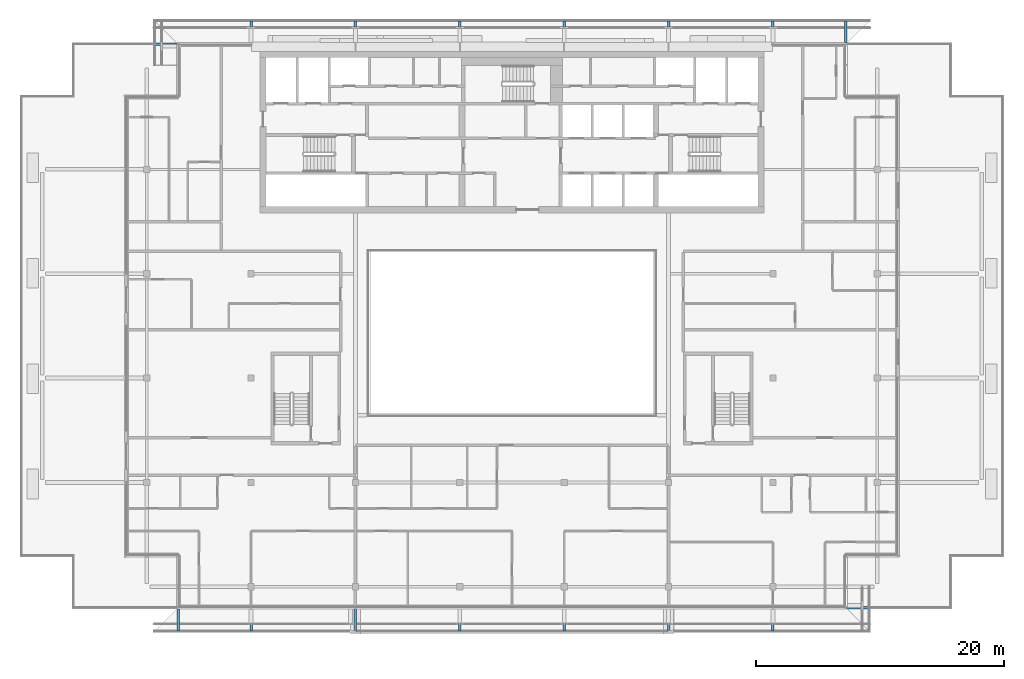
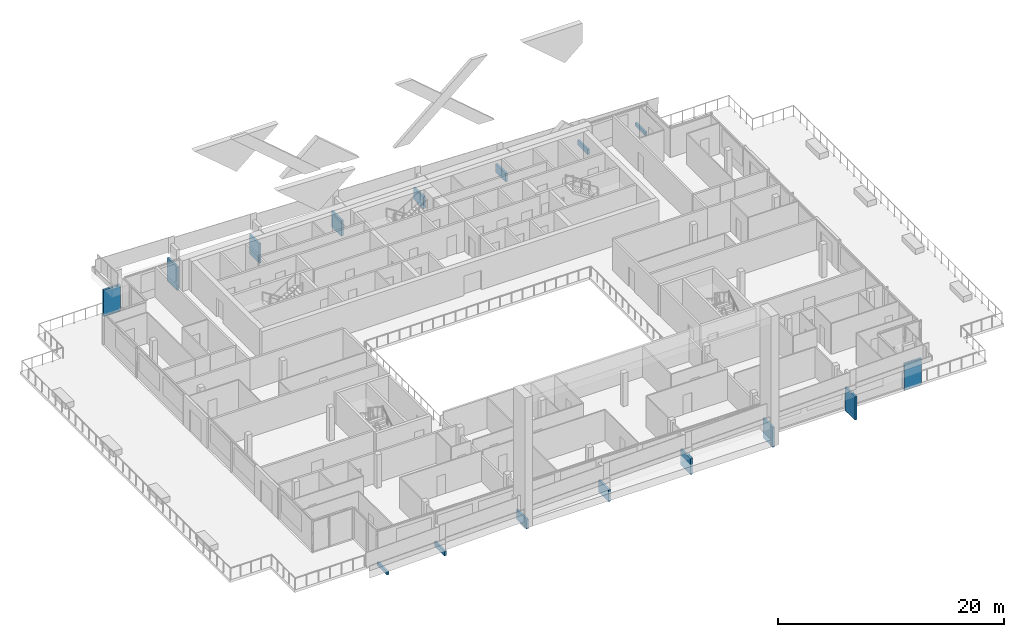
# One storey, part 23 of 29: 16 discrete accessories.
"""IFC4 building model written with IfcOpenShell, lengths in metres."""

from ifc_helpers import new_model, si_unit, direction, frame, origin, origin_2d, place, context, subcontext, project, spatial, rectangle, extrude, element, save


model = new_model("IFC4")

# Units and contexts
model_context = context("Model", 3, precision=1e-05, world=origin(), true_north=direction((0.0, 1.0)))
body_context = subcontext(model_context, "Body", "Model", "MODEL_VIEW")
ifc_project = project(units=[si_unit("LENGTHUNIT", "METRE"), si_unit("AREAUNIT", "SQUARE_METRE"), si_unit("VOLUMEUNIT", "CUBIC_METRE"), si_unit("PLANEANGLEUNIT", "RADIAN"), si_unit("MASSUNIT", "GRAM", prefix="KILO")], contexts=[model_context])

# Site, building, storey
site_placement = place(None, origin())
site = spatial("IfcSite", under=ifc_project, at=site_placement, CompositionType="ELEMENT")
building_placement = place(site_placement, origin())
building = spatial("IfcBuilding", under=site, at=building_placement, Name="Saffron Gate Tower", CompositionType="ELEMENT")
storey_placement = place(building_placement, frame((0.0, 0.0, 270.75)))
storey = spatial("IfcBuildingStorey", under=building, at=storey_placement, Name="L65", CompositionType="ELEMENT", Elevation=270.75)

# Discrete accessories
discrete_accessory_1_placement = place(storey_placement, frame((60.719970703125, 29.125, -0.280029296875), z_axis=(0.0, 0.0, 1.0), x_axis=(1.0, 0.0, 0.0)))
element("IfcDiscreteAccessory", 1, at=discrete_accessory_1_placement, inside=storey, Name="LEDGE rib", PredefinedType="BRACKET", context=body_context, shape_type="SweptSolid", body=[
    extrude(rectangle(XDim=0.199951171875, YDim=1.75, at=origin_2d()), origin(), (0.0, 0.0, 1.0), 0.3798828125),
])
discrete_accessory_2_placement = place(storey_placement, frame((66.60009765625, 29.125, -0.280029296875), z_axis=(0.0, 0.0, 1.0), x_axis=(1.0, 0.0, 0.0)))
element("IfcDiscreteAccessory", 2, at=discrete_accessory_2_placement, inside=storey, Name="LEDGE rib", PredefinedType="BRACKET", context=body_context, shape_type="SweptSolid", body=[
    extrude(rectangle(XDim=0.199951171875, YDim=1.75, at=origin_2d()), origin(), (0.0, 0.0, 1.0), 0.552734375),
])
discrete_accessory_3_placement = place(storey_placement, frame((75.0, 29.125, -0.280029296875), z_axis=(0.0, 0.0, 1.0), x_axis=(1.0, 0.0, 0.0)))
element("IfcDiscreteAccessory", 3, at=discrete_accessory_3_placement, inside=storey, Name="LEDGE rib", PredefinedType="BRACKET", context=body_context, shape_type="SweptSolid", body=[
    extrude(rectangle(XDim=0.199951171875, YDim=1.75, at=origin_2d()), origin(), (0.0, 0.0, 1.0), 1.0693359375),
])
discrete_accessory_4_placement = place(storey_placement, frame((83.39990234375, 29.125, -0.27978515625), z_axis=(0.0, 0.0, 1.0), x_axis=(1.0, 0.0, 0.0)))
element("IfcDiscreteAccessory", 4, at=discrete_accessory_4_placement, inside=storey, Name="LEDGE rib", PredefinedType="BRACKET", context=body_context, shape_type="SweptSolid", body=[
    extrude(rectangle(XDim=0.199951171875, YDim=1.75, at=origin_2d()), origin(), (0.0, 0.0, 1.0), 1.319091796875),
])
discrete_accessory_5_placement = place(storey_placement, frame((91.800048828125, 29.125, -0.27978515625), z_axis=(0.0, 0.0, 1.0), x_axis=(1.0, 0.0, 0.0)))
element("IfcDiscreteAccessory", 5, at=discrete_accessory_5_placement, inside=storey, Name="LEDGE rib", PredefinedType="BRACKET", context=body_context, shape_type="SweptSolid", body=[
    extrude(rectangle(XDim=0.199951171875, YDim=1.75, at=origin_2d()), origin(), (0.0, 0.0, 1.0), 1.725830078125),
])
discrete_accessory_6_placement = place(storey_placement, frame((100.199951171875, 29.125, -0.27978515625), z_axis=(0.0, 0.0, 1.0), x_axis=(1.0, 0.0, 0.0)))
element("IfcDiscreteAccessory", 6, at=discrete_accessory_6_placement, inside=storey, Name="LEDGE rib", PredefinedType="BRACKET", context=body_context, shape_type="SweptSolid", body=[
    extrude(rectangle(XDim=0.199951171875, YDim=1.75, at=origin_2d()), origin(), (0.0, 0.0, 1.0), 2.132568359375),
])
discrete_accessory_7_placement = place(storey_placement, frame((108.60009765625, 29.125, -0.27978515625), z_axis=(0.0, 0.0, 1.0), x_axis=(1.0, 0.0, 0.0)))
element("IfcDiscreteAccessory", 7, at=discrete_accessory_7_placement, inside=storey, Name="LEDGE rib", PredefinedType="BRACKET", context=body_context, shape_type="SweptSolid", body=[
    extrude(rectangle(XDim=0.199951171875, YDim=1.75, at=origin_2d()), origin(), (0.0, 0.0, 1.0), 2.547119140625),
])
discrete_accessory_8_placement = place(storey_placement, frame((115.47509765625, 30.1201171875, -0.280029296875), z_axis=(0.0, 0.0, 1.0), x_axis=(0.0, 1.0, 0.0)))
element("IfcDiscreteAccessory", 8, at=discrete_accessory_8_placement, inside=storey, Name="LEDGE rib", PredefinedType="BRACKET", context=body_context, shape_type="SweptSolid", body=[
    extrude(rectangle(XDim=0.199951171875, YDim=1.75, at=origin_2d()), origin(), (0.0, 0.0, 1.0), 2.876953125),
])
discrete_accessory_9_placement = place(storey_placement, frame((114.47998046875, 76.47509765625, -0.280029296875), z_axis=(0.0, 0.0, 1.0), x_axis=(-1.0, 0.0, 0.0)))
element("IfcDiscreteAccessory", 9, at=discrete_accessory_9_placement, inside=storey, Name="LEDGE rib", PredefinedType="BRACKET", context=body_context, shape_type="SweptSolid", body=[
    extrude(rectangle(XDim=0.199951171875, YDim=1.75, at=origin_2d()), origin(), (0.0, 0.0, 1.0), 0.3798828125),
])
discrete_accessory_10_placement = place(storey_placement, frame((108.60009765625, 76.47509765625, -0.280029296875), z_axis=(0.0, 0.0, 1.0), x_axis=(-1.0, 0.0, 0.0)))
element("IfcDiscreteAccessory", 10, at=discrete_accessory_10_placement, inside=storey, Name="LEDGE rib", PredefinedType="BRACKET", context=body_context, shape_type="SweptSolid", body=[
    extrude(rectangle(XDim=0.199951171875, YDim=1.75, at=origin_2d()), origin(), (0.0, 0.0, 1.0), 0.552734375),
])
discrete_accessory_11_placement = place(storey_placement, frame((100.199951171875, 76.47509765625, -0.27978515625), z_axis=(0.0, 0.0, 1.0), x_axis=(-1.0, 0.0, 0.0)))
element("IfcDiscreteAccessory", 11, at=discrete_accessory_11_placement, inside=storey, Name="LEDGE rib", PredefinedType="BRACKET", context=body_context, shape_type="SweptSolid", body=[
    extrude(rectangle(XDim=0.199951171875, YDim=1.75, at=origin_2d()), origin(), (0.0, 0.0, 1.0), 0.912353515625),
])
discrete_accessory_12_placement = place(storey_placement, frame((91.800048828125, 76.47509765625, -0.27978515625), z_axis=(0.0, 0.0, 1.0), x_axis=(-1.0, 0.0, 0.0)))
element("IfcDiscreteAccessory", 12, at=discrete_accessory_12_placement, inside=storey, Name="LEDGE rib", PredefinedType="BRACKET", context=body_context, shape_type="SweptSolid", body=[
    extrude(rectangle(XDim=0.199951171875, YDim=1.75, at=origin_2d()), origin(), (0.0, 0.0, 1.0), 1.319091796875),
])
discrete_accessory_13_placement = place(storey_placement, frame((83.39990234375, 76.47509765625, -0.27978515625), z_axis=(0.0, 0.0, 1.0), x_axis=(-1.0, 0.0, 0.0)))
element("IfcDiscreteAccessory", 13, at=discrete_accessory_13_placement, inside=storey, Name="LEDGE rib", PredefinedType="BRACKET", context=body_context, shape_type="SweptSolid", body=[
    extrude(rectangle(XDim=0.199951171875, YDim=1.75, at=origin_2d()), origin(), (0.0, 0.0, 1.0), 1.725830078125),
])
discrete_accessory_14_placement = place(storey_placement, frame((75.0, 76.47509765625, -0.27978515625), z_axis=(0.0, 0.0, 1.0), x_axis=(-1.0, 0.0, 0.0)))
element("IfcDiscreteAccessory", 14, at=discrete_accessory_14_placement, inside=storey, Name="LEDGE rib", PredefinedType="BRACKET", context=body_context, shape_type="SweptSolid", body=[
    extrude(rectangle(XDim=0.199951171875, YDim=1.75, at=origin_2d()), origin(), (0.0, 0.0, 1.0), 2.132568359375),
])
discrete_accessory_15_placement = place(storey_placement, frame((66.60009765625, 76.47509765625, -0.27978515625), z_axis=(0.0, 0.0, 1.0), x_axis=(-1.0, 0.0, 0.0)))
element("IfcDiscreteAccessory", 15, at=discrete_accessory_15_placement, inside=storey, Name="LEDGE rib", PredefinedType="BRACKET", context=body_context, shape_type="SweptSolid", body=[
    extrude(rectangle(XDim=0.199951171875, YDim=1.75, at=origin_2d()), origin(), (0.0, 0.0, 1.0), 2.539306640625),
])
discrete_accessory_16_placement = place(storey_placement, frame((59.72509765625, 75.47998046875, -0.280029296875), z_axis=(0.0, 0.0, 1.0), x_axis=(0.0, -1.0, 0.0)))
element("IfcDiscreteAccessory", 16, at=discrete_accessory_16_placement, inside=storey, Name="LEDGE rib", PredefinedType="BRACKET", context=body_context, shape_type="SweptSolid", body=[
    extrude(rectangle(XDim=0.199951171875, YDim=1.75, at=origin_2d()), origin(), (0.0, 0.0, 1.0), 2.876953125),
])

save(model, "model.ifc")
